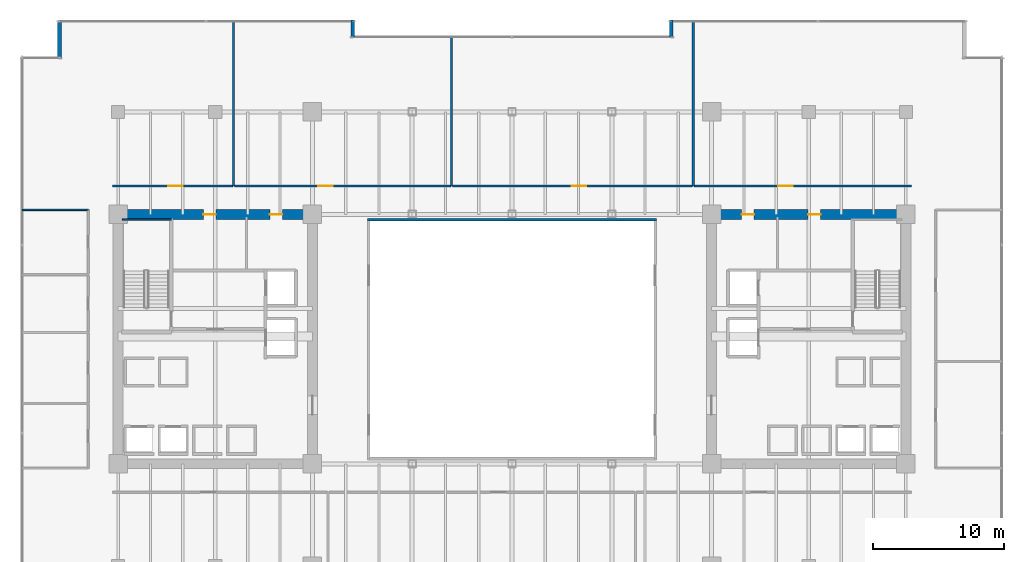
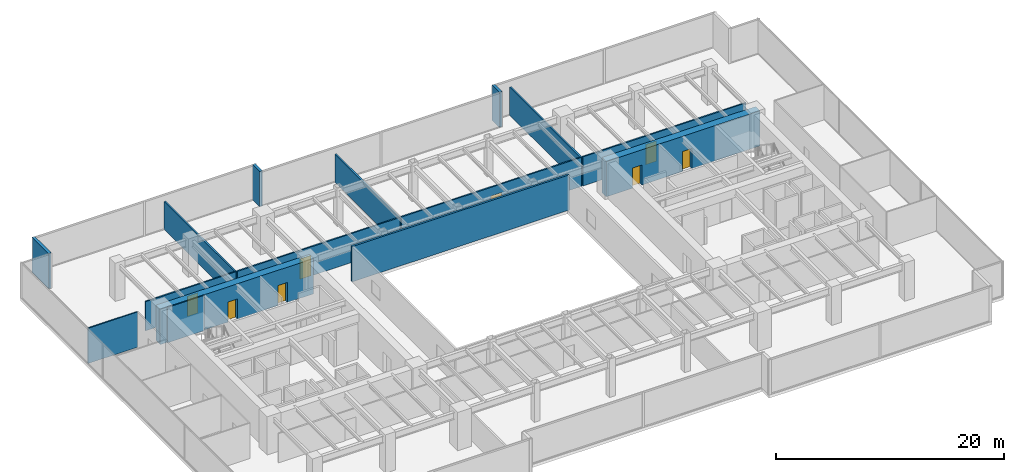
# One storey, part 31 of 35: 15 walls, 8 doors, 8 openings.
"""IFC4 building model written with IfcOpenShell, lengths in metres."""

import ifcopenshell
import ifcopenshell.guid

model = None  # the IFC model being written
_history = None  # IfcOwnerHistory: only IFC2X3 demands one
_inside = {}  # id of a spatial element -> (the spatial element, [elements in it])
_under = {}  # id of a project, library or spatial element -> (it, [spatial elements below it])
_declared = {}  # id of a project -> (the project, [libraries it declares])
_typed = {}  # id of a type object -> (the type object, [elements of that type])
_made_of = {}  # id of a material, layer set ... -> (it, [elements and type objects made of it])


def new_model(schema):
    """Start an empty IFC model of exactly this schema.

    Asked for "IFC4X3", IfcOpenShell would pick the latest addendum, in which some entities
    have other attributes; the version numbers below select the first issue.
    IFC2X3 requires an IfcOwnerHistory on every rooted entity: one is made here for all.
    """
    global model, _history
    if schema == "IFC4X3":
        model = ifcopenshell.file(schema_version=(4, 3, 0, 0))
    else:
        model = ifcopenshell.file(schema=schema)
    _inside.clear()
    _under.clear()
    _declared.clear()
    _typed.clear()
    _made_of.clear()
    _history = None
    if model.schema == "IFC2X3":
        org = make("IfcOrganization", Name="unknown")
        user = make(
            "IfcPersonAndOrganization",
            ThePerson=make("IfcPerson", FamilyName="unknown"),
            TheOrganization=org,
        )
        app = make(
            "IfcApplication",
            ApplicationDeveloper=org,
            Version="unknown",
            ApplicationFullName="unknown",
            ApplicationIdentifier="unknown",
        )
        _history = make(
            "IfcOwnerHistory",
            OwningUser=user,
            OwningApplication=app,
            ChangeAction="ADDED",
            CreationDate=0,
        )
    return model


def make(cls, **values):
    """One entity of the class cls with the attributes given. An attribute that is None is left unset."""
    return model.create_entity(
        cls, **{name: value for name, value in values.items() if value is not None}
    )


def rooted(cls, **values):
    """An entity with a GlobalId (a new one), such as an element, a storey or a relation."""
    return make(cls, GlobalId=ifcopenshell.guid.new(), OwnerHistory=_history, **values)


def si_unit(unit_type, name, prefix=None):
    """IfcSIUnit, for example si_unit("LENGTHUNIT", "METRE", prefix="MILLI")."""
    return make("IfcSIUnit", UnitType=unit_type, Prefix=prefix, Name=name)


def assignment(units):
    """IfcUnitAssignment: the units of a project."""
    return None if units is None else make("IfcUnitAssignment", Units=units)


def point(xyz):
    """IfcCartesianPoint."""
    return None if xyz is None else make("IfcCartesianPoint", Coordinates=xyz)


def direction(xyz):
    """IfcDirection."""
    return None if xyz is None else make("IfcDirection", DirectionRatios=xyz)


def frame(location, z_axis=None, x_axis=None):
    """IfcAxis2Placement3D, a coordinate frame: its origin and axes. An axis left out is left unset."""
    return make(
        "IfcAxis2Placement3D",
        Location=point(location),
        Axis=direction(z_axis),
        RefDirection=direction(x_axis),
    )


def frame_2d(location, x_axis=None):
    """IfcAxis2Placement2D, a coordinate frame in the plane: its origin and x axis."""
    return make(
        "IfcAxis2Placement2D", Location=point(location), RefDirection=direction(x_axis)
    )


def origin():
    """The frame at (0, 0, 0) with its axes left unset."""
    return frame((0.0, 0.0, 0.0))


def place(relative_to, where):
    """IfcLocalPlacement: puts the frame where relative to a parent placement (None: the world)."""
    return make(
        "IfcLocalPlacement", PlacementRelTo=relative_to, RelativePlacement=where
    )


def context(
    kind, dimensions, precision=None, world=None, true_north=None, identifier=None
):
    """IfcGeometricRepresentationContext, for example the 3D "Model" context."""
    return make(
        "IfcGeometricRepresentationContext",
        ContextIdentifier=identifier,
        ContextType=kind,
        CoordinateSpaceDimension=dimensions,
        Precision=precision,
        WorldCoordinateSystem=world,
        TrueNorth=true_north,
    )


def subcontext(parent, identifier, kind, view, scale=None):
    """IfcGeometricRepresentationSubContext, for example "Body" below "Model"."""
    return make(
        "IfcGeometricRepresentationSubContext",
        ContextIdentifier=identifier,
        ContextType=kind,
        ParentContext=parent,
        TargetScale=scale,
        TargetView=view,
    )


def project(units=None, contexts=None):
    """IfcProject with its units and contexts."""
    return rooted(
        "IfcProject",
        Name="project",
        RepresentationContexts=contexts,
        UnitsInContext=assignment(units),
    )


def spatial(cls, under=None, at=None, **own):
    """A site, building, storey or space (cls), placed at a placement, below another one or the project."""
    s = rooted(cls, ObjectPlacement=at, **own)
    if under is not None:
        _under.setdefault(under.id(), (under, []))[1].append(s)
    return s


def profile(cls, at=None, kind="AREA", **sizes):
    """A parametric profile (cls). Its sizes go by their IFC names, for example OverallWidth=200.0."""
    return make(cls, ProfileType=kind, Position=at, **sizes)


def rectangle(**sizes):
    """IfcRectangleProfileDef."""
    return profile("IfcRectangleProfileDef", **sizes)


def extrude(swept, where, along, depth):
    """IfcExtrudedAreaSolid: the profile swept, set in the frame where, extruded along a direction by depth."""
    return make(
        "IfcExtrudedAreaSolid",
        SweptArea=swept,
        Position=where,
        ExtrudedDirection=direction(along),
        Depth=depth,
    )


def shape(context_of_items, identifier, shape_type, items):
    """IfcShapeRepresentation: the items that make up one representation, for example the "Body"."""
    return make(
        "IfcShapeRepresentation",
        ContextOfItems=context_of_items,
        RepresentationIdentifier=identifier,
        RepresentationType=shape_type,
        Items=items,
    )


def source(mapping_origin, context_of_items, identifier, shape_type, items):
    """IfcRepresentationMap: a shape defined once, which mapped items show again and again."""
    return make(
        "IfcRepresentationMap",
        MappingOrigin=mapping_origin,
        MappedRepresentation=shape(context_of_items, identifier, shape_type, items),
    )


def transform(
    local_origin,
    x_axis=None,
    y_axis=None,
    z_axis=None,
    scale=None,
    scale2=None,
    scale3=None,
    uniform=True,
):
    """IfcCartesianTransformationOperator3D, or its non-uniform kind. x_axis, y_axis, z_axis: its Axis1, 2, 3."""
    if uniform:
        return make(
            "IfcCartesianTransformationOperator3D",
            Axis1=direction(x_axis),
            Axis2=direction(y_axis),
            LocalOrigin=point(local_origin),
            Scale=scale,
            Axis3=direction(z_axis),
        )
    return make(
        "IfcCartesianTransformationOperator3DnonUniform",
        Axis1=direction(x_axis),
        Axis2=direction(y_axis),
        LocalOrigin=point(local_origin),
        Scale=scale,
        Axis3=direction(z_axis),
        Scale2=scale2,
        Scale3=scale3,
    )


def mapped(mapping_source, mapping_target):
    """IfcMappedItem: shows the shape of a source again, moved by a transform."""
    return make(
        "IfcMappedItem", MappingSource=mapping_source, MappingTarget=mapping_target
    )


def material(Name=None, Category=None):
    """IfcMaterial."""
    return make("IfcMaterial", Name=Name, Category=Category)


def layer(
    of_material, thickness, ventilated=None, Name=None, Category=None, Priority=None
):
    """IfcMaterialLayer: one layer of a wall or slab, of a material (None: an air gap)."""
    return make(
        "IfcMaterialLayer",
        Material=of_material,
        LayerThickness=thickness,
        IsVentilated=ventilated,
        Name=Name,
        Category=Category,
        Priority=Priority,
    )


def layer_set(layers, Name=None):
    """IfcMaterialLayerSet."""
    return make("IfcMaterialLayerSet", MaterialLayers=layers, LayerSetName=Name)


def made_of(thing, what):
    """Note that an element or type object is made of a material, layer set ...; save() writes the relation."""
    if what is not None:
        _made_of.setdefault(what.id(), (what, []))[1].append(thing)
    return thing


def type_object(cls, material=None, **own):
    """A type object (cls), such as IfcWallType, which elements share."""
    return made_of(rooted(cls, **own), material)


def type_shapes(of_type, sources):
    """Give a type object the sources (RepresentationMaps) that its elements show as mapped items."""
    of_type.RepresentationMaps = sources


def element(
    cls,
    number,
    at=None,
    inside=None,
    cuts=None,
    type_object=None,
    material=None,
    context=None,
    identifier="Body",
    shape_type=None,
    held_by="IfcProductDefinitionShape",
    body=None,
    shapes=None,
    **own,
):
    """One element of the class cls, such as IfcWall. Its Tag is "e" and its number.

    at: its placement. inside: the storey or other place that contains it. cuts: it is an
    opening in that element (IfcRelVoidsElement). A single representation is given by context,
    identifier, shape_type and body (its items); several are given by shapes. held_by: the class
    of the entity that holds the representations. save() writes the other relations.
    """
    e = rooted(cls, Tag="e%d" % number, ObjectPlacement=at, **own)
    if body is not None:
        shapes = [shape(context, identifier, shape_type, body)]
    if shapes is not None:
        e.Representation = make(held_by, Representations=shapes)
    if inside is not None:
        _inside.setdefault(inside.id(), (inside, []))[1].append(e)
    if cuts is not None:
        rooted(
            "IfcRelVoidsElement", RelatingBuildingElement=cuts, RelatedOpeningElement=e
        )
    if type_object is not None:
        _typed.setdefault(type_object.id(), (type_object, []))[1].append(e)
    return made_of(e, material)


def fill(opening, filler):
    """IfcRelFillsElement: the door or window that sits in an opening."""
    return rooted(
        "IfcRelFillsElement",
        RelatingOpeningElement=opening,
        RelatedBuildingElement=filler,
    )


def aggregate(whole, parts):
    """IfcRelAggregates: a whole, such as a stair, and the parts it consists of."""
    return rooted("IfcRelAggregates", RelatingObject=whole, RelatedObjects=parts)


def save(model, path):
    """Write the relations noted so far, then the file.

    IfcRelAggregates (storeys below a building ...), IfcRelContainedInSpatialStructure (elements
    in a storey), IfcRelDefinesByType, IfcRelAssociatesMaterial and IfcRelDeclares: one each for
    every whole, place, type object, material and project.
    """
    for whole, parts in _under.values():
        aggregate(whole, parts)
    for where, things in _inside.values():
        rooted(
            "IfcRelContainedInSpatialStructure",
            RelatedElements=things,
            RelatingStructure=where,
        )
    for kind, things in _typed.values():
        rooted("IfcRelDefinesByType", RelatedObjects=things, RelatingType=kind)
    for what, things in _made_of.values():
        rooted("IfcRelAssociatesMaterial", RelatedObjects=things, RelatingMaterial=what)
    for by, libraries in _declared.values():
        rooted("IfcRelDeclares", RelatingContext=by, RelatedDefinitions=libraries)
    model.write(path)


model = new_model("IFC4")

# Units and contexts
model_context = context("Model", 3, precision=1e-05, world=origin(), true_north=direction((0.0, 1.0)))
body_context = subcontext(model_context, "Body", "Model", "MODEL_VIEW")
ifc_project = project(units=[si_unit("LENGTHUNIT", "METRE"), si_unit("AREAUNIT", "SQUARE_METRE"), si_unit("VOLUMEUNIT", "CUBIC_METRE"), si_unit("PLANEANGLEUNIT", "RADIAN"), si_unit("MASSUNIT", "GRAM", prefix="KILO")], contexts=[model_context])

# Site, building, storey
site_placement = place(None, origin())
site = spatial("IfcSite", under=ifc_project, at=site_placement, CompositionType="ELEMENT")
building_placement = place(site_placement, origin())
building = spatial("IfcBuilding", under=site, at=building_placement, Name="Haelvirn Gate Laboratories", CompositionType="ELEMENT")
storey_placement = place(building_placement, frame((0.0, 0.0, 90.800048828125)))
storey = spatial("IfcBuildingStorey", under=building, at=storey_placement, Name="L22", CompositionType="ELEMENT", Elevation=90.800048828125)

# Walls
ifc_material_1 = material(Name="Thermally-broken bronze aluminium rainscreen & mineral wool", Category="aluminium")
ifc_layer_1 = layer(ifc_material_1, 0.280029296875, Name="EW-TERR-280")
ifc_layer_set_1 = layer_set([ifc_layer_1], Name="Thermally-broken bronze aluminium rainscreen & mineral wool")
wall_type_1 = type_object("IfcWallType", Name="EW-TERR-280", PredefinedType="STANDARD", material=ifc_layer_set_1)
for number, where, z_axis, x_axis, name in (
    (1, (49.5400390625, 48.60009765625, 0.0), (0.0, 0.0, 1.0), (0.0, -1.0, 0.0), "L22 Atrium Recess Bronze Return Wall 11"),
    (2, (25.260009765625, 47.31201171875, 0.0), (0.0, 0.0, 1.0), (0.0, 1.0, 0.0), "L22 Atrium Recess Bronze Return Wall 13"),
):
    element("IfcWall", number, at=place(storey_placement, frame(where, z_axis=z_axis, x_axis=x_axis)), inside=storey, type_object=wall_type_1, Name=name, PredefinedType="STANDARD", context=body_context, shape_type="SweptSolid", body=[
        extrude(rectangle(XDim=1.2880859375, YDim=0.280029296875, at=frame_2d((0.64404296875, 0.0))), origin(), (0.0, 0.0, 1.0), 3.780029296875),
    ])
wall_1_placement = place(storey_placement, frame((2.93994140625, 48.60009765625, 0.0), z_axis=(0.0, 0.0, 1.0), x_axis=(0.0, -1.0, 0.0)))
element("IfcWall", 3, at=wall_1_placement, inside=storey, type_object=wall_type_1, Name="L22 Atrium Recess Bronze Return Wall 15", PredefinedType="STANDARD", context=body_context, shape_type="SweptSolid", body=[
    extrude(rectangle(XDim=2.88818359375, YDim=0.280029296875, at=frame_2d((1.444091796875, 0.0))), origin(), (0.0, 0.0, 1.0), 3.780029296875),
])
ifc_material_2 = material(Name="Double-layer acoustic gypsum laboratory partition", Category="gypsum")
ifc_layer_2 = layer(ifc_material_2, 0.159912109375, Name="IW-ACOUST-160")
ifc_layer_set_2 = layer_set([ifc_layer_2], Name="Double-layer acoustic gypsum laboratory partition")
wall_type_2 = type_object("IfcWallType", Name="IW-ACOUST-160", PredefinedType="PARTITIONING", material=ifc_layer_set_2)
wall_2_placement = place(storey_placement, frame((16.199951171875, 35.9599609375, 0.0), z_axis=(0.0, 0.0, 1.0), x_axis=(0.0, 1.0, 0.0)))
element("IfcWall", 4, at=wall_2_placement, inside=storey, type_object=wall_type_2, Name="L22 Interior Wall IW-L22-NDIV-01", PredefinedType="PARTITIONING", context=body_context, shape_type="SweptSolid", body=[
    extrude(rectangle(XDim=12.530029296875, YDim=0.159912109375, at=frame_2d((6.26513671875, 0.0))), origin(), (0.0, 0.0, 1.0), 3.014892578125),
])
wall_3_placement = place(storey_placement, frame((32.800048828125, 35.9599609375, 0.0), z_axis=(0.0, 0.0, 1.0), x_axis=(0.0, 1.0, 0.0)))
element("IfcWall", 5, at=wall_3_placement, inside=storey, type_object=wall_type_2, Name="L22 Interior Wall IW-L22-NDIV-02", PredefinedType="PARTITIONING", context=body_context, shape_type="SweptSolid", body=[
    extrude(rectangle(XDim=11.330078125, YDim=0.159912109375, at=frame_2d((5.6650390625, 0.0))), origin(), (0.0, 0.0, 1.0), 3.014892578125),
])
wall_4_placement = place(storey_placement, frame((51.199951171875, 35.9599609375, 0.0), z_axis=(0.0, 0.0, 1.0), x_axis=(0.0, 1.0, 0.0)))
element("IfcWall", 6, at=wall_4_placement, inside=storey, type_object=wall_type_2, Name="L22 Interior Wall IW-L22-NDIV-03", PredefinedType="PARTITIONING", context=body_context, shape_type="SweptSolid", body=[
    extrude(rectangle(XDim=12.530029296875, YDim=0.159912109375, at=frame_2d((6.26513671875, 0.0))), origin(), (0.0, 0.0, 1.0), 3.014892578125),
])
ifc_material_3 = material(Name="Tempered fire-rated borosilicate glass & anodised aluminium", Category="aluminium")
ifc_layer_3 = layer(ifc_material_3, 0.195068359375, Name="IW-GLAZ-200")
ifc_layer_set_3 = layer_set([ifc_layer_3], Name="Tempered fire-rated borosilicate glass & anodised aluminium")
wall_type_3 = type_object("IfcWallType", Name="IW-GLAZ-200", PredefinedType="SOLIDWALL", material=ifc_layer_set_3)
wall_5_placement = place(storey_placement, frame((26.39990234375, 33.39990234375, 0.0), z_axis=(0.0, 0.0, 1.0), x_axis=(1.0, 0.0, 0.0)))
element("IfcWall", 7, at=wall_5_placement, inside=storey, type_object=wall_type_3, Name="L22 Interior Wall IW-L22-ATRIUM-N", PredefinedType="SOLIDWALL", context=body_context, shape_type="SweptSolid", body=[
    extrude(rectangle(XDim=22.0, YDim=0.195068359375, at=frame_2d((11.0, 0.0))), origin(), (0.0, 0.0, 1.0), 3.780029296875),
])
ifc_material_4 = material(Name="Lightweight acoustic gypsum board partition", Category="gypsum")
ifc_layer_4 = layer(ifc_material_4, 0.1201171875, Name="IW-PART-120")
ifc_layer_set_4 = layer_set([ifc_layer_4], Name="Lightweight acoustic gypsum board partition")
wall_type_4 = type_object("IfcWallType", Name="IW-PART-120", PredefinedType="PARTITIONING", material=ifc_layer_set_4)
wall_6_placement = place(storey_placement, frame((0.110107421875, 34.135009765625, 0.0), z_axis=(0.0, 0.0, 1.0), x_axis=(1.0, 0.0, 0.0)))
element("IfcWall", 8, at=wall_6_placement, inside=storey, type_object=wall_type_4, Name="L22 Interior Wall IW-L22-WCAP-N", PredefinedType="PARTITIONING", context=body_context, shape_type="SweptSolid", body=[
    extrude(rectangle(XDim=5.019775390625, YDim=0.1201171875, at=frame_2d((2.509765625, 0.0))), origin(), (0.0, 0.0, 1.0), 3.780029296875),
])

# Wall, opening, door
ifc_material_5 = material(Name="Acoustic mineral-wool gypsum board partition", Category="gypsum")
ifc_layer_5 = layer(ifc_material_5, 0.139892578125, Name="IW-PART-140")
ifc_layer_set_5 = layer_set([ifc_layer_5], Name="Acoustic mineral-wool gypsum board partition")
wall_type_5 = type_object("IfcWallType", Name="IW-PART-140", PredefinedType="PARTITIONING", material=ifc_layer_set_5)
wall_7_placement = place(storey_placement, frame((6.97998046875, 35.9599609375, 0.0), z_axis=(0.0, 0.0, 1.0), x_axis=(1.0, 0.0, 0.0)))
wall_7 = element("IfcWall", 9, at=wall_7_placement, inside=storey, type_object=wall_type_5, Name="L22 Interior Wall IW-L22-NCORR-01", PredefinedType="PARTITIONING", context=body_context, shape_type="SweptSolid", body=[
    extrude(rectangle(XDim=9.14013671875, YDim=0.139892578125, at=frame_2d((4.570068359375, 0.0))), origin(), (0.0, 0.0, 1.0), 3.114990234375),
])
opening_1_placement = place(wall_7_placement, frame((4.240234375, 0.0, 0.0)))
opening_1 = element("IfcOpeningElement", 10, at=opening_1_placement, cuts=wall_7, Name="Opening D1", PredefinedType="OPENING", context=body_context, shape_type="SweptSolid", body=[
    extrude(rectangle(XDim=1.10009765625, YDim=2.179931640625, at=frame_2d((0.550048828125, 1.08984375))), frame((0.0, 0.080078125, 0.0), z_axis=(0.0, -1.0, 0.0), x_axis=(1.0, 0.0, 0.0)), (0.0, 0.0, 1.0), 0.159912109375),
])
ifc_material_6 = material(Name="Vision-panel acoustic solid-core timber lab door", Category="wood")
door_type_1 = type_object("IfcDoorType", Name="DR-LAB-1100", OperationType="NOTDEFINED", PredefinedType="DOOR", material=ifc_material_6)
shared_shape_1 = source(origin(), body_context, "Body", "SweptSolid", [
    extrude(rectangle(XDim=1.10009765625, YDim=2.179931640625, at=frame_2d((0.550048828125, 1.08984375))), frame((0.0, 0.02490234375, 0.0), z_axis=(0.0, -1.0, 0.0), x_axis=(1.0, 0.0, 0.0)), (0.0, 0.0, 1.0), 0.050048828125),
])
type_shapes(door_type_1, [shared_shape_1])
door_1_placement = place(opening_1_placement, origin())
door_1 = element("IfcDoor", 11, at=door_1_placement, inside=storey, type_object=door_type_1, Name="L22 Bioinformatics Dry-Lab Workspace Door N1", OperationType="SINGLE_SWING_RIGHT", OverallHeight=2.179931640625, OverallWidth=1.10009765625, PredefinedType="DOOR", context=body_context, shape_type="MappedRepresentation", body=[
    mapped(shared_shape_1, transform((0.0, 0.0, 0.0), scale=1.0)),
])
fill(opening_1, door_1)

wall_8_placement = place(storey_placement, frame((16.280029296875, 35.9599609375, 0.0), z_axis=(0.0, 0.0, 1.0), x_axis=(1.0, 0.0, 0.0)))
wall_8 = element("IfcWall", 12, at=wall_8_placement, inside=storey, type_object=wall_type_5, Name="L22 Interior Wall IW-L22-NCORR-02", PredefinedType="PARTITIONING", context=body_context, shape_type="SweptSolid", body=[
    extrude(rectangle(XDim=16.43994140625, YDim=0.139892578125, at=frame_2d((8.219970703125, 0.0))), origin(), (0.0, 0.0, 1.0), 3.114990234375),
])
opening_2_placement = place(wall_8_placement, frame((6.352294921875, 0.0, 0.0)))
opening_2 = element("IfcOpeningElement", 13, at=opening_2_placement, cuts=wall_8, Name="Opening D1", PredefinedType="OPENING", context=body_context, shape_type="SweptSolid", body=[
    extrude(rectangle(XDim=1.10009765625, YDim=2.179931640625, at=frame_2d((0.550048828125, 1.08984375))), frame((0.0, 0.080078125, 0.0), z_axis=(0.0, -1.0, 0.0), x_axis=(1.0, 0.0, 0.0)), (0.0, 0.0, 1.0), 0.159912109375),
])
door_2_placement = place(opening_2_placement, origin())
door_2 = element("IfcDoor", 14, at=door_2_placement, inside=storey, type_object=door_type_1, Name="L22 Protocol Briefing Training Room Door N2", OperationType="SINGLE_SWING_LEFT", OverallHeight=2.179931640625, OverallWidth=1.10009765625, PredefinedType="DOOR", context=body_context, shape_type="MappedRepresentation", body=[
    mapped(shared_shape_1, transform((0.0, 0.0, 0.0), scale=1.0)),
])
fill(opening_2, door_2)

wall_9_placement = place(storey_placement, frame((32.8798828125, 35.9599609375, 0.0), z_axis=(0.0, 0.0, 1.0), x_axis=(1.0, 0.0, 0.0)))
wall_9 = element("IfcWall", 15, at=wall_9_placement, inside=storey, type_object=wall_type_5, Name="L22 Interior Wall IW-L22-NCORR-03", PredefinedType="PARTITIONING", context=body_context, shape_type="SweptSolid", body=[
    extrude(rectangle(XDim=18.240234375, YDim=0.139892578125, at=frame_2d((9.1201171875, 0.0))), origin(), (0.0, 0.0, 1.0), 3.114990234375),
])
opening_3_placement = place(wall_9_placement, frame((9.063232421875, 0.0, 0.0)))
opening_3 = element("IfcOpeningElement", 16, at=opening_3_placement, cuts=wall_9, Name="Opening D1", PredefinedType="OPENING", context=body_context, shape_type="SweptSolid", body=[
    extrude(rectangle(XDim=1.10009765625, YDim=2.179931640625, at=frame_2d((0.550048828125, 1.08984375))), frame((0.0, 0.080078125, 0.0), z_axis=(0.0, -1.0, 0.0), x_axis=(1.0, 0.0, 0.0)), (0.0, 0.0, 1.0), 0.159912109375),
])
door_3_placement = place(opening_3_placement, origin())
door_3 = element("IfcDoor", 17, at=door_3_placement, inside=storey, type_object=door_type_1, Name="L22 Peer-Review Seminar Room Door N3", OperationType="SINGLE_SWING_RIGHT", OverallHeight=2.179931640625, OverallWidth=1.10009765625, PredefinedType="DOOR", context=body_context, shape_type="MappedRepresentation", body=[
    mapped(shared_shape_1, transform((0.0, 0.0, 0.0), scale=1.0)),
])
fill(opening_3, door_3)

wall_10_placement = place(storey_placement, frame((51.280029296875, 35.9599609375, 0.0), z_axis=(0.0, 0.0, 1.0), x_axis=(1.0, 0.0, 0.0)))
wall_10 = element("IfcWall", 18, at=wall_10_placement, inside=storey, type_object=wall_type_5, Name="L22 Interior Wall IW-L22-NCORR-04", PredefinedType="PARTITIONING", context=body_context, shape_type="SweptSolid", body=[
    extrude(rectangle(XDim=16.5400390625, YDim=0.139892578125, at=frame_2d((8.27001953125, 0.0))), origin(), (0.0, 0.0, 1.0), 3.114990234375),
])
opening_4_placement = place(wall_10_placement, frame((6.393310546875, 0.0, 0.0)))
opening_4 = element("IfcOpeningElement", 19, at=opening_4_placement, cuts=wall_10, Name="Opening D1", PredefinedType="OPENING", context=body_context, shape_type="SweptSolid", body=[
    extrude(rectangle(XDim=1.10009765625, YDim=2.179931640625, at=frame_2d((0.550048828125, 1.08984375))), frame((0.0, 0.080078125, 0.0), z_axis=(0.0, -1.0, 0.0), x_axis=(1.0, 0.0, 0.0)), (0.0, 0.0, 1.0), 0.159912109375),
])
door_4_placement = place(opening_4_placement, origin())
door_4 = element("IfcDoor", 20, at=door_4_placement, inside=storey, type_object=door_type_1, Name="L22 Colloquium Conference Room Door N4", OperationType="SINGLE_SWING_LEFT", OverallHeight=2.179931640625, OverallWidth=1.10009765625, PredefinedType="DOOR", context=body_context, shape_type="MappedRepresentation", body=[
    mapped(shared_shape_1, transform((0.0, 0.0, 0.0), scale=1.0)),
])
fill(opening_4, door_4)

# Wall, openings, doors
ifc_material_7 = material(Name="Concrete C70/85", Category="concrete")
ifc_layer_6 = layer(ifc_material_7, 0.75, Name="SW-CORE-750")
ifc_layer_set_6 = layer_set([ifc_layer_6], Name="Concrete C70/85")
wall_type_6 = type_object("IfcWallType", Name="SW-CORE-750", PredefinedType="SHEAR", material=ifc_layer_set_6)
wall_11_placement = place(storey_placement, frame((7.02490234375, 33.800048828125, 0.0), z_axis=(0.0, 0.0, 1.0), x_axis=(1.0, 0.0, 0.0)))
wall_11 = element("IfcWall", 21, at=wall_11_placement, inside=storey, type_object=wall_type_6, Name="L22 W Core Shear Wall N", PredefinedType="SHEAR", context=body_context, shape_type="SweptSolid", body=[
    extrude(rectangle(XDim=15.550048828125, YDim=0.75, at=frame_2d((7.77490234375, 0.0))), origin(), (0.0, 0.0, 1.0), 3.780029296875),
])
opening_5_placement = place(wall_11_placement, frame((6.875, 0.0, 0.0)))
opening_5 = element("IfcOpeningElement", 22, at=opening_5_placement, cuts=wall_11, Name="Opening FD4", PredefinedType="OPENING", context=body_context, shape_type="SweptSolid", body=[
    extrude(rectangle(XDim=0.949951171875, YDim=2.14990234375, at=frame_2d((0.47509765625, 1.074951171875))), frame((0.0, 0.385009765625, 0.0), z_axis=(0.0, -1.0, 0.0), x_axis=(1.0, 0.0, 0.0)), (0.0, 0.0, 1.0), 0.77001953125),
])
opening_6_placement = place(wall_11_placement, frame((11.93994140625, 0.0, 0.0)))
opening_6 = element("IfcOpeningElement", 23, at=opening_6_placement, cuts=wall_11, Name="Opening FD4", PredefinedType="OPENING", context=body_context, shape_type="SweptSolid", body=[
    extrude(rectangle(XDim=0.949951171875, YDim=2.14990234375, at=frame_2d((0.47509765625, 1.074951171875))), frame((0.0, 0.385009765625, 0.0), z_axis=(0.0, -1.0, 0.0), x_axis=(1.0, 0.0, 0.0)), (0.0, 0.0, 1.0), 0.77001953125),
])
ifc_material_8 = material(Name="Fire-rated steel SM355 core service door", Category="steel")
door_type_2 = type_object("IfcDoorType", Name="DR-FD-950", OperationType="NOTDEFINED", PredefinedType="DOOR", material=ifc_material_8)
shared_shape_2 = source(origin(), body_context, "Body", "SweptSolid", [
    extrude(rectangle(XDim=0.949951171875, YDim=2.14990234375, at=frame_2d((0.47509765625, 1.074951171875))), frame((0.0, 0.02490234375, 0.0), z_axis=(0.0, -1.0, 0.0), x_axis=(1.0, 0.0, 0.0)), (0.0, 0.0, 1.0), 0.050048828125),
])
type_shapes(door_type_2, [shared_shape_2])
door_5_placement = place(opening_5_placement, origin())
door_5 = element("IfcDoor", 24, at=door_5_placement, inside=storey, type_object=door_type_2, Name="L22 All-Gender Multi-Stall Restroom Fire Door", OperationType="SINGLE_SWING_LEFT", OverallHeight=2.14990234375, OverallWidth=0.949951171875, PredefinedType="DOOR", context=body_context, shape_type="MappedRepresentation", body=[
    mapped(shared_shape_2, transform((0.0, 0.0, 0.0), scale=1.0)),
])
fill(opening_5, door_5)
door_6_placement = place(opening_6_placement, origin())
door_6 = element("IfcDoor", 25, at=door_6_placement, inside=storey, type_object=door_type_2, Name="L22 Accessible Restroom Fire Door", OperationType="SINGLE_SWING_RIGHT", OverallHeight=2.14990234375, OverallWidth=0.949951171875, PredefinedType="DOOR", context=body_context, shape_type="MappedRepresentation", body=[
    mapped(shared_shape_2, transform((0.0, 0.0, 0.0), scale=1.0)),
])
fill(opening_6, door_6)

wall_12_placement = place(storey_placement, frame((52.22509765625, 33.800048828125, 0.0), z_axis=(0.0, 0.0, 1.0), x_axis=(1.0, 0.0, 0.0)))
wall_12 = element("IfcWall", 26, at=wall_12_placement, inside=storey, type_object=wall_type_6, Name="L22 E Core Shear Wall N", PredefinedType="SHEAR", context=body_context, shape_type="SweptSolid", body=[
    extrude(rectangle(XDim=15.5498046875, YDim=0.75, at=frame_2d((7.77490234375, 0.0))), origin(), (0.0, 0.0, 1.0), 3.780029296875),
])
opening_7_placement = place(wall_12_placement, frame((7.72509765625, 0.0, 0.0)))
opening_7 = element("IfcOpeningElement", 27, at=opening_7_placement, cuts=wall_12, Name="Opening FD4", PredefinedType="OPENING", context=body_context, shape_type="SweptSolid", body=[
    extrude(rectangle(XDim=0.949951171875, YDim=2.14990234375, at=frame_2d((0.47509765625, 1.074951171875))), frame((0.0, 0.385009765625, 0.0), z_axis=(0.0, -1.0, 0.0), x_axis=(1.0, 0.0, 0.0)), (0.0, 0.0, 1.0), 0.77001953125),
])
opening_8_placement = place(wall_12_placement, frame((2.659912109375, 0.0, 0.0)))
opening_8 = element("IfcOpeningElement", 28, at=opening_8_placement, cuts=wall_12, Name="Opening FD4", PredefinedType="OPENING", context=body_context, shape_type="SweptSolid", body=[
    extrude(rectangle(XDim=0.949951171875, YDim=2.14990234375, at=frame_2d((0.47509765625, 1.074951171875))), frame((0.0, 0.385009765625, 0.0), z_axis=(0.0, -1.0, 0.0), x_axis=(1.0, 0.0, 0.0)), (0.0, 0.0, 1.0), 0.77001953125),
])
door_7_placement = place(opening_7_placement, origin())
door_7 = element("IfcDoor", 29, at=door_7_placement, inside=storey, type_object=door_type_2, Name="L22 All-Gender Multi-Stall Restroom Fire Door", OperationType="SINGLE_SWING_LEFT", OverallHeight=2.14990234375, OverallWidth=0.949951171875, PredefinedType="DOOR", context=body_context, shape_type="MappedRepresentation", body=[
    mapped(shared_shape_2, transform((0.0, 0.0, 0.0), scale=1.0)),
])
fill(opening_7, door_7)
door_8_placement = place(opening_8_placement, origin())
door_8 = element("IfcDoor", 30, at=door_8_placement, inside=storey, type_object=door_type_2, Name="L22 Accessible Restroom Fire Door", OperationType="SINGLE_SWING_RIGHT", OverallHeight=2.14990234375, OverallWidth=0.949951171875, PredefinedType="DOOR", context=body_context, shape_type="MappedRepresentation", body=[
    mapped(shared_shape_2, transform((0.0, 0.0, 0.0), scale=1.0)),
])
fill(opening_8, door_8)

# Wall
ifc_material_9 = material(Name="Concrete C50/60", Category="concrete")
ifc_layer_7 = layer(ifc_material_9, 0.1201171875, Name="SW-LINER-120")
ifc_layer_set_7 = layer_set([ifc_layer_7], Name="Concrete C50/60")
wall_type_7 = type_object("IfcWallType", Name="SW-LINER-120", PredefinedType="SOLIDWALL", material=ifc_layer_set_7)
wall_13_placement = place(storey_placement, frame((7.72998046875, 33.39990234375, 0.0), z_axis=(0.0, 0.0, 1.0), x_axis=(1.0, 0.0, 0.0)))
element("IfcWall", 31, at=wall_13_placement, inside=storey, type_object=wall_type_7, Name="L22 W Core Stair Shaft Liner Wall N", PredefinedType="SOLIDWALL", context=body_context, shape_type="SweptSolid", body=[
    extrude(rectangle(XDim=3.719970703125, YDim=0.1201171875, at=frame_2d((1.85986328125, 0.0))), origin(), (0.0, 0.0, 1.0), 3.780029296875),
])

save(model, "model.ifc")
